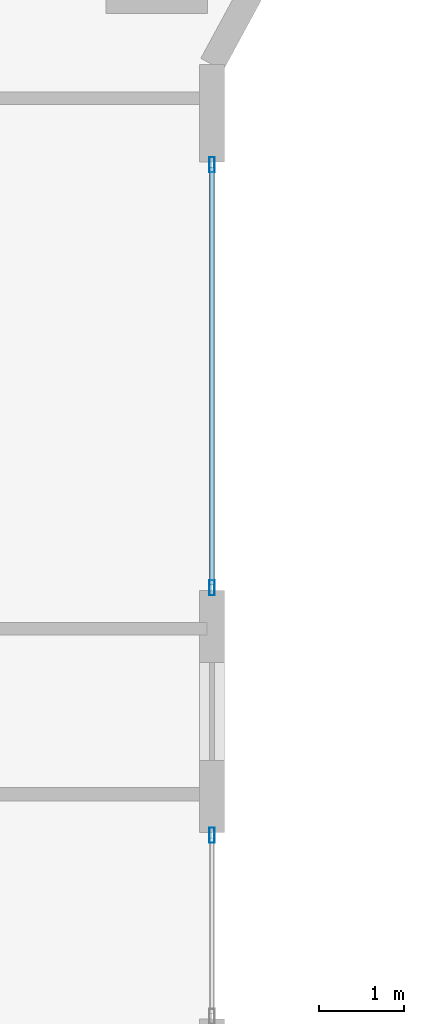
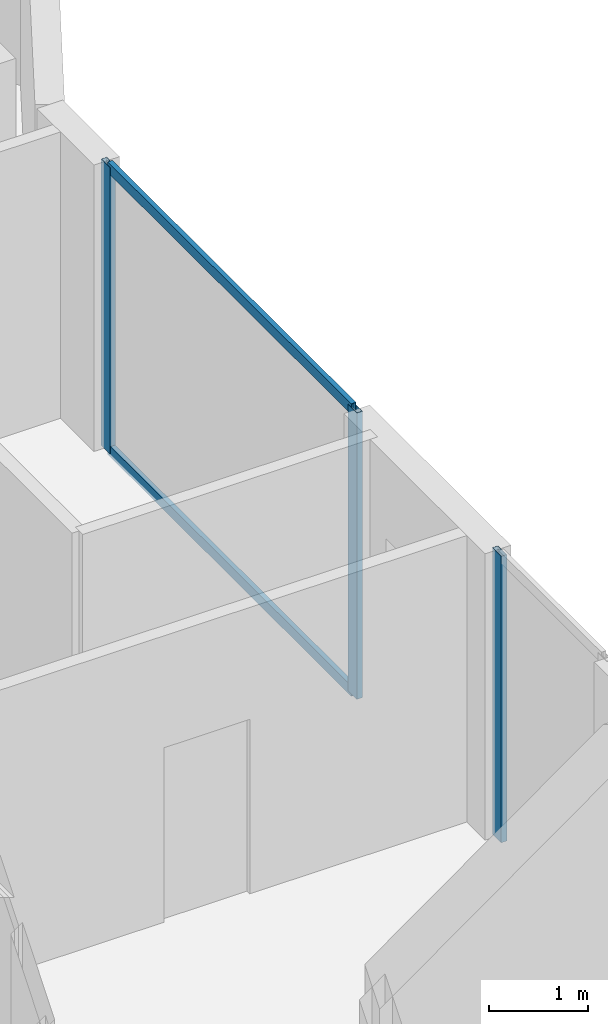
# One storey, part 12 of 32: 5 members, 2 elements without a shape of their own.
"""IFC4 building model written with IfcOpenShell, lengths in metres."""

from ifc_helpers import new_model, si_unit, direction, frame, origin, origin_2d, place, context, subcontext, project, spatial, hollow_rectangle, extrude, material, layer, layer_set, material_profile, profile_set, type_object, element, aggregate, save


model = new_model("IFC4")

# Units and contexts
model_context = context("Model", 3, precision=1e-05, world=origin(), true_north=direction((0.0, 1.0)))
body_context = subcontext(model_context, "Body", "Model", "MODEL_VIEW")
ifc_project = project(units=[si_unit("LENGTHUNIT", "METRE"), si_unit("AREAUNIT", "SQUARE_METRE"), si_unit("VOLUMEUNIT", "CUBIC_METRE"), si_unit("PLANEANGLEUNIT", "RADIAN"), si_unit("MASSUNIT", "GRAM", prefix="KILO")], contexts=[model_context])

# Site, building, storey
site_placement = place(None, origin())
site = spatial("IfcSite", under=ifc_project, at=site_placement, CompositionType="ELEMENT")
building_placement = place(site_placement, origin())
building = spatial("IfcBuilding", under=site, at=building_placement, Name="Zuhayl Quay Hotel", CompositionType="ELEMENT")
storey_placement = place(building_placement, frame((0.0, 0.0, 181.14990234375)))
storey = spatial("IfcBuildingStorey", under=building, at=storey_placement, Name="L45", CompositionType="ELEMENT", Elevation=181.14990234375)

# Curtain wall, members
ifc_material_1 = material(Name="Anodised Aluminium 6063-T6", Category="aluminium")
ifc_layer = layer(ifc_material_1, 0.175048828125, Name="Anodised Aluminium 6063-T6", Category="aluminium")
ifc_layer_set = layer_set([ifc_layer], Name="Anodised Aluminium 6063-T6")
curtain_wall_type = type_object("IfcCurtainWallType", Name="CW_SYS_Z3", PredefinedType="USERDEFINED", material=ifc_layer_set)
curtain_wall_1_placement = place(storey_placement, origin())
curtain_wall_1 = element("IfcCurtainWall", 1, at=curtain_wall_1_placement, inside=storey, type_object=curtain_wall_type, Name="L45 Curtain Wall ENV_L45_E14_CW1", ObjectType="UNITISED CURTAIN WALL", PredefinedType="USERDEFINED")
ifc_material_2 = material(Name="Black-anodised aluminium 6063-T6", Category="aluminium")
ifc_material_profile_1 = material_profile(ifc_material_2, hollow_rectangle(XDim=0.06494140625, YDim=0.179931640625, WallThickness=0.00341796875, at=origin_2d()), Name="ALU180X65")
ifc_profile_set_1 = profile_set([ifc_material_profile_1], Name="Black-anodised aluminium 6063-T6")
member_type_1 = type_object("IfcMemberType", Name="MB_CW_MUL_180", PredefinedType="MULLION", material=ifc_profile_set_1)
member_1_placement = place(storey_placement, frame((22.10009765625, 7.017578125, 0.0), z_axis=(0.0, 0.0, 1.0), x_axis=(1.0, 0.0, 0.0)))
member_1 = element("IfcMember", 2, at=member_1_placement, type_object=member_type_1, Name="CW-Z3 mullion 1", PredefinedType="MULLION", context=body_context, shape_type="SweptSolid", body=[
    extrude(hollow_rectangle(XDim=0.06494140625, YDim=0.179931640625, WallThickness=0.00341796875, at=origin_2d()), origin(), (0.0, 0.0, 1.0), 3.530029296875),
])
member_2_placement = place(storey_placement, frame((22.10009765625, 2.032470703125, 0.0), z_axis=(0.0, 0.0, 1.0), x_axis=(1.0, 0.0, 0.0)))
member_2 = element("IfcMember", 3, at=member_2_placement, type_object=member_type_1, Name="CW-Z3 mullion 2", PredefinedType="MULLION", context=body_context, shape_type="SweptSolid", body=[
    extrude(hollow_rectangle(XDim=0.06494140625, YDim=0.179931640625, WallThickness=0.00341796875, at=origin_2d()), origin(), (0.0, 0.0, 1.0), 3.530029296875),
])

# Curtain wall, member
curtain_wall_2_placement = place(storey_placement, origin())
curtain_wall_2 = element("IfcCurtainWall", 4, at=curtain_wall_2_placement, inside=storey, type_object=curtain_wall_type, Name="L45 Curtain Wall ENV_L45_E14_CW2", ObjectType="UNITISED CURTAIN WALL", PredefinedType="USERDEFINED")
member_3_placement = place(storey_placement, frame((22.10009765625, -0.882568359375, 0.0), z_axis=(0.0, 0.0, 1.0), x_axis=(1.0, 0.0, 0.0)))
member_3 = element("IfcMember", 5, at=member_3_placement, type_object=member_type_1, Name="CW-Z3 mullion 1", PredefinedType="MULLION", context=body_context, shape_type="SweptSolid", body=[
    extrude(hollow_rectangle(XDim=0.06494140625, YDim=0.179931640625, WallThickness=0.00341796875, at=origin_2d()), origin(), (0.0, 0.0, 1.0), 3.530029296875),
])
aggregate(curtain_wall_2, [member_3])

# Member
ifc_material_profile_2 = material_profile(ifc_material_2, hollow_rectangle(XDim=0.054931640625, YDim=0.1298828125, WallThickness=0.0029296875, at=origin_2d()), Name="ALU130X55")
ifc_profile_set_2 = profile_set([ifc_material_profile_2], Name="Black-anodised aluminium 6063-T6")
member_type_2 = type_object("IfcMemberType", Name="MB_CW_TRN_130", PredefinedType="USERDEFINED", material=ifc_profile_set_2)
member_4_placement = place(storey_placement, frame((22.10009765625, 6.985107421875, 0.027587890625), z_axis=(0.0, -1.0, 0.0), x_axis=(1.0, 0.0, 0.0)))
member_4 = element("IfcMember", 6, at=member_4_placement, type_object=member_type_2, Name="CW-Z3 transom 1.1", ObjectType="TRANSOM", PredefinedType="USERDEFINED", context=body_context, shape_type="SweptSolid", body=[
    extrude(hollow_rectangle(XDim=0.054931640625, YDim=0.1298828125, WallThickness=0.0029296875, at=origin_2d()), origin(), (0.0, 0.0, 1.0), 4.920166015625),
])

member_5_placement = place(storey_placement, frame((22.10009765625, 6.985107421875, 3.502685546875), z_axis=(0.0, -1.0, 0.0), x_axis=(1.0, 0.0, 0.0)))
member_5 = element("IfcMember", 7, at=member_5_placement, type_object=member_type_2, Name="CW-Z3 transom 1.2", ObjectType="TRANSOM", PredefinedType="USERDEFINED", context=body_context, shape_type="SweptSolid", body=[
    extrude(hollow_rectangle(XDim=0.054931640625, YDim=0.1298828125, WallThickness=0.0029296875, at=origin_2d()), origin(), (0.0, 0.0, 1.0), 4.920166015625),
])

aggregate(curtain_wall_1, [member_1, member_2, member_4, member_5])

save(model, "model.ifc")
